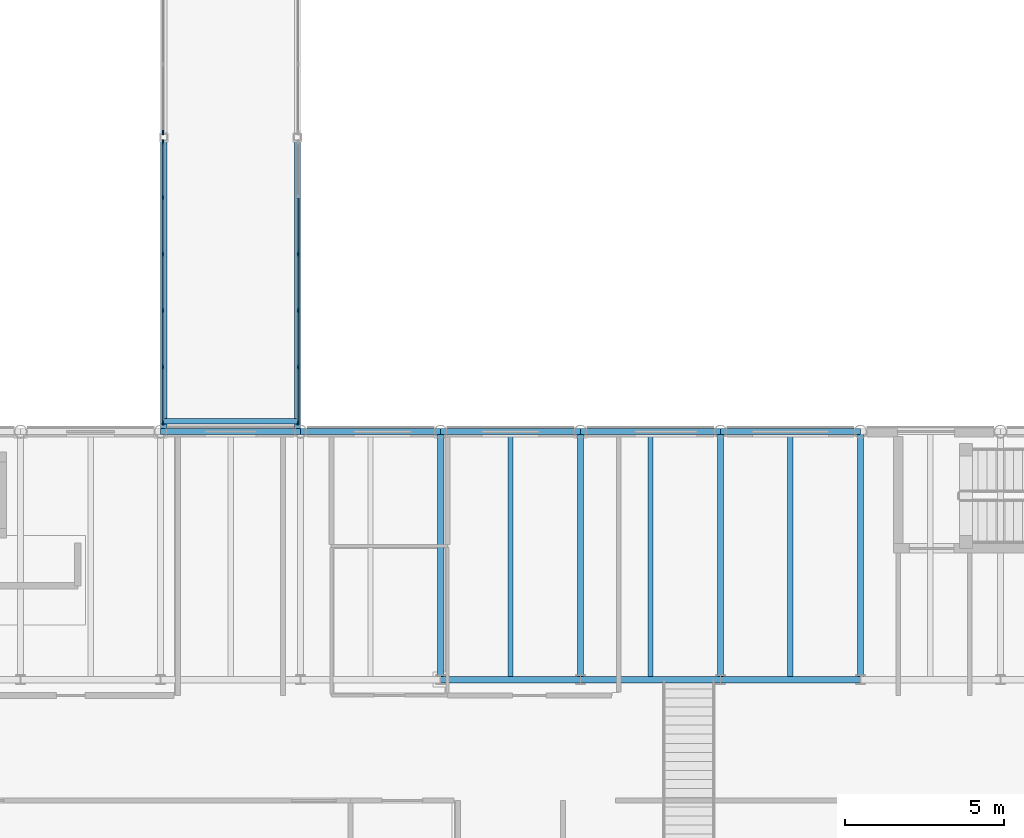
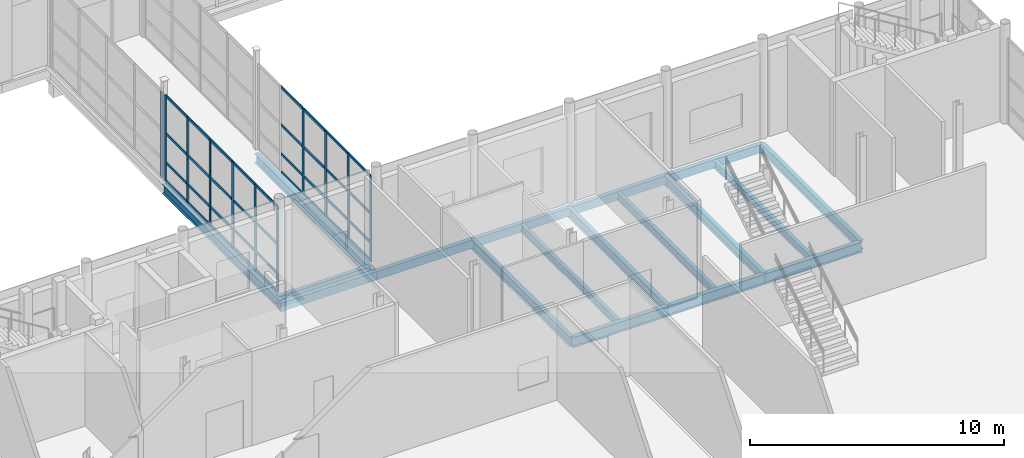
# One storey, part 49 of 131: 47 members, 18 beams, 3 elements without a shape of their own.
"""IFC4 building model written with IfcOpenShell, lengths in metres."""

from ifc_helpers import new_model, si_unit, direction, frame, origin, origin_2d, place, context, subcontext, project, spatial, rectangle, hollow_rectangle, i_section, extrude, material, layer, layer_set, material_profile, profile_set, type_object, element, aggregate, save


model = new_model("IFC4")

# Units and contexts
model_context = context("Model", 3, precision=1e-05, world=origin(), true_north=direction((0.0, 1.0)))
body_context = subcontext(model_context, "Body", "Model", "MODEL_VIEW")
ifc_project = project(units=[si_unit("LENGTHUNIT", "METRE"), si_unit("AREAUNIT", "SQUARE_METRE"), si_unit("VOLUMEUNIT", "CUBIC_METRE"), si_unit("PLANEANGLEUNIT", "RADIAN"), si_unit("MASSUNIT", "GRAM", prefix="KILO")], contexts=[model_context])

# Site, building, storey
site_placement = place(None, origin())
site = spatial("IfcSite", under=ifc_project, at=site_placement, CompositionType="ELEMENT")
building_placement = place(site_placement, origin())
building = spatial("IfcBuilding", under=site, at=building_placement, Name="Celorna Specialist Clinic", CompositionType="ELEMENT")
storey_placement = place(building_placement, origin())
storey = spatial("IfcBuildingStorey", under=building, at=storey_placement, Name="L00", CompositionType="ELEMENT", Elevation=0.0)

# Beams
ifc_material_1 = material(Name="Steel S355", Category="steel")
ifc_material_profile_1 = material_profile(ifc_material_1, i_section(OverallWidth=0.199951171875, OverallDepth=0.5, WebThickness=0.01025390625, FlangeThickness=0.01611328125, at=origin_2d()), Name="IPE 500")
ifc_profile_set_1 = profile_set([ifc_material_profile_1], Name="Steel S355")
beam_type_1 = type_object("IfcBeamType", Name="BM-08", PredefinedType="BEAM", material=ifc_profile_set_1)
beam_1_placement = place(storey_placement, frame((81.0, 70.199951171875, -0.550048828125), z_axis=(1.0, 0.0, 0.0), x_axis=(0.0, 1.0, 0.0)))
element("IfcBeam", 1, at=beam_1_placement, inside=storey, type_object=beam_type_1, Name="Primary girder BM-08 #145", PredefinedType="BEAM", context=body_context, shape_type="SweptSolid", body=[
    extrude(i_section(OverallWidth=0.199951171875, OverallDepth=0.5, WebThickness=0.01025390625, FlangeThickness=0.01611328125, at=origin_2d()), origin(), (0.0, 0.0, 1.0), 4.39990234375),
])
beam_2_placement = place(storey_placement, frame((85.39990234375, 70.199951171875, -0.550048828125), z_axis=(1.0, 0.0, 0.0), x_axis=(0.0, 1.0, 0.0)))
element("IfcBeam", 2, at=beam_2_placement, inside=storey, type_object=beam_type_1, Name="Primary girder BM-08 #146", PredefinedType="BEAM", context=body_context, shape_type="SweptSolid", body=[
    extrude(i_section(OverallWidth=0.199951171875, OverallDepth=0.5, WebThickness=0.01025390625, FlangeThickness=0.01611328125, at=origin_2d()), origin(), (0.0, 0.0, 1.0), 4.400146484375),
])
beam_3_placement = place(storey_placement, frame((89.800048828125, 70.199951171875, -0.550048828125), z_axis=(1.0, 0.0, 0.0), x_axis=(0.0, 1.0, 0.0)))
element("IfcBeam", 3, at=beam_3_placement, inside=storey, type_object=beam_type_1, Name="Primary girder BM-08 #147", PredefinedType="BEAM", context=body_context, shape_type="SweptSolid", body=[
    extrude(i_section(OverallWidth=0.199951171875, OverallDepth=0.5, WebThickness=0.01025390625, FlangeThickness=0.01611328125, at=origin_2d()), origin(), (0.0, 0.0, 1.0), 4.39990234375),
])
ifc_material_profile_2 = material_profile(ifc_material_1, i_section(OverallWidth=0.18994140625, OverallDepth=0.449951171875, WebThickness=0.009521484375, FlangeThickness=0.0146484375, at=origin_2d()), Name="IPE 450")
ifc_profile_set_2 = profile_set([ifc_material_profile_2], Name="Steel S355")
beam_type_2 = type_object("IfcBeamType", Name="BM-09", PredefinedType="BEAM", material=ifc_profile_set_2)
for number, where, z_axis, x_axis, name in (
    (4, (72.300048828125, 78.0, -0.445068359375), (0.0, 1.0, 0.0), (-1.0, 0.0, 0.0), "Bridge BR-04 edge girder BM-09 #92"),
    (5, (76.5, 78.0, -0.445068359375), (0.0, 1.0, 0.0), (-1.0, 0.0, 0.0), "Bridge BR-04 edge girder BM-09 #94"),
):
    element("IfcBeam", number, at=place(storey_placement, frame(where, z_axis=z_axis, x_axis=x_axis)), inside=storey, type_object=beam_type_2, Name=name, PredefinedType="BEAM", context=body_context, shape_type="SweptSolid", body=[
        extrude(i_section(OverallWidth=0.18994140625, OverallDepth=0.449951171875, WebThickness=0.009521484375, FlangeThickness=0.0146484375, at=origin_2d()), origin(), (0.0, 0.0, 1.0), 9.25),
    ])
for number, where, z_axis, x_axis, name in (
    (6, (81.0, 70.199951171875, -0.52490234375), (0.0, 1.0, 0.0), (-1.0, 0.0, 0.0), "Transverse girder BM-09 #170"),
    (7, (85.39990234375, 70.199951171875, -0.52490234375), (0.0, 1.0, 0.0), (-1.0, 0.0, 0.0), "Transverse girder BM-09 #171"),
    (8, (89.800048828125, 70.199951171875, -0.52490234375), (0.0, 1.0, 0.0), (-1.0, 0.0, 0.0), "Transverse girder BM-09 #172"),
    (9, (94.199951171875, 70.199951171875, -0.52490234375), (0.0, 1.0, 0.0), (-1.0, 0.0, 0.0), "Transverse girder BM-09 #173"),
):
    element("IfcBeam", number, at=place(storey_placement, frame(where, z_axis=z_axis, x_axis=x_axis)), inside=storey, type_object=beam_type_2, Name=name, PredefinedType="BEAM", context=body_context, shape_type="SweptSolid", body=[
        extrude(i_section(OverallWidth=0.18994140625, OverallDepth=0.449951171875, WebThickness=0.009521484375, FlangeThickness=0.0146484375, at=origin_2d()), origin(), (0.0, 0.0, 1.0), 7.800048828125),
    ])
ifc_material_profile_3 = material_profile(ifc_material_1, i_section(OverallWidth=0.179931640625, OverallDepth=0.39990234375, WebThickness=0.008544921875, FlangeThickness=0.013427734375, at=origin_2d()), Name="IPE 400")
ifc_profile_set_3 = profile_set([ifc_material_profile_3], Name="Steel S355")
beam_type_3 = type_object("IfcBeamType", Name="BM-10", PredefinedType="BEAM", material=ifc_profile_set_3)
beam_4_placement = place(storey_placement, frame((72.300048828125, 78.320068359375, -0.419921875), z_axis=(1.0, 0.0, 0.0), x_axis=(0.0, 1.0, 0.0)))
element("IfcBeam", 10, at=beam_4_placement, inside=storey, type_object=beam_type_3, Name="Bridge BR-04 transverse beam BM-10 #97", PredefinedType="BEAM", context=body_context, shape_type="SweptSolid", body=[
    extrude(i_section(OverallWidth=0.179931640625, OverallDepth=0.39990234375, WebThickness=0.008544921875, FlangeThickness=0.013427734375, at=origin_2d()), origin(), (0.0, 0.0, 1.0), 4.199951171875),
])
ifc_material_profile_4 = material_profile(ifc_material_1, i_section(OverallWidth=0.169921875, OverallDepth=0.360107421875, WebThickness=0.008056640625, FlangeThickness=0.0126953125, at=origin_2d()), Name="IPE 360")
ifc_profile_set_4 = profile_set([ifc_material_profile_4], Name="Steel S355")
beam_type_4 = type_object("IfcBeamType", Name="BM-11", PredefinedType="JOIST", material=ifc_profile_set_4)
for number, where, z_axis, x_axis, name in (
    (11, (83.199951171875, 70.2880859375, -0.47998046875), (0.0, 1.0, 0.0), (-1.0, 0.0, 0.0), "Secondary floor joist BM-11 #185"),
    (12, (87.60009765625, 70.2880859375, -0.47998046875), (0.0, 1.0, 0.0), (-1.0, 0.0, 0.0), "Secondary floor joist BM-11 #186"),
    (13, (92.0, 70.2880859375, -0.47998046875), (0.0, 1.0, 0.0), (-1.0, 0.0, 0.0), "Secondary floor joist BM-11 #187"),
):
    element("IfcBeam", number, at=place(storey_placement, frame(where, z_axis=z_axis, x_axis=x_axis)), inside=storey, type_object=beam_type_4, Name=name, PredefinedType="JOIST", context=body_context, shape_type="SweptSolid", body=[
        extrude(i_section(OverallWidth=0.169921875, OverallDepth=0.360107421875, WebThickness=0.008056640625, FlangeThickness=0.0126953125, at=origin_2d()), origin(), (0.0, 0.0, 1.0), 7.6240234375),
    ])
ifc_material_profile_5 = material_profile(ifc_material_1, hollow_rectangle(XDim=0.199951171875, YDim=0.39990234375, WallThickness=0.011962890625, at=origin_2d()), Name="RHS 200x400x12")
ifc_profile_set_5 = profile_set([ifc_material_profile_5], Name="Steel S355")
beam_type_5 = type_object("IfcBeamType", Name="BM-15", PredefinedType="SPANDREL", material=ifc_profile_set_5)
beam_5_placement = place(storey_placement, frame((72.199951171875, 78.0, -0.5), z_axis=(1.0, 0.0, 0.0), x_axis=(0.0, 1.0, 0.0)))
element("IfcBeam", 14, at=beam_5_placement, inside=storey, type_object=beam_type_5, Name="Spandrel beam BM-15 #154", PredefinedType="SPANDREL", context=body_context, shape_type="SweptSolid", body=[
    extrude(hollow_rectangle(XDim=0.199951171875, YDim=0.39990234375, WallThickness=0.011962890625, at=origin_2d()), origin(), (0.0, 0.0, 1.0), 4.400146484375),
])
for number, where, z_axis, x_axis, name in (
    (15, (76.60009765625, 78.0, -0.5), (1.0, 0.0, 0.0), (0.0, 1.0, 0.0), "Spandrel beam BM-15 #155"),
    (16, (81.0, 78.0, -0.5), (1.0, 0.0, 0.0), (0.0, 1.0, 0.0), "Spandrel beam BM-15 #156"),
):
    element("IfcBeam", number, at=place(storey_placement, frame(where, z_axis=z_axis, x_axis=x_axis)), inside=storey, type_object=beam_type_5, Name=name, PredefinedType="SPANDREL", context=body_context, shape_type="SweptSolid", body=[
        extrude(hollow_rectangle(XDim=0.199951171875, YDim=0.39990234375, WallThickness=0.011962890625, at=origin_2d()), origin(), (0.0, 0.0, 1.0), 4.39990234375),
    ])
beam_6_placement = place(storey_placement, frame((85.39990234375, 78.0, -0.5), z_axis=(1.0, 0.0, 0.0), x_axis=(0.0, 1.0, 0.0)))
element("IfcBeam", 17, at=beam_6_placement, inside=storey, type_object=beam_type_5, Name="Spandrel beam BM-15 #157", PredefinedType="SPANDREL", context=body_context, shape_type="SweptSolid", body=[
    extrude(hollow_rectangle(XDim=0.199951171875, YDim=0.39990234375, WallThickness=0.011962890625, at=origin_2d()), origin(), (0.0, 0.0, 1.0), 4.400146484375),
])
beam_7_placement = place(storey_placement, frame((89.800048828125, 78.0, -0.5), z_axis=(1.0, 0.0, 0.0), x_axis=(0.0, 1.0, 0.0)))
element("IfcBeam", 18, at=beam_7_placement, inside=storey, type_object=beam_type_5, Name="Spandrel beam BM-15 #158", PredefinedType="SPANDREL", context=body_context, shape_type="SweptSolid", body=[
    extrude(hollow_rectangle(XDim=0.199951171875, YDim=0.39990234375, WallThickness=0.011962890625, at=origin_2d()), origin(), (0.0, 0.0, 1.0), 4.39990234375),
])

# Curtain wall, members
ifc_material_2 = material(Name="Thermally broken aluminium and solar-control glass curtain wall", Category="aluminium")
ifc_layer_1 = layer(ifc_material_2, 0.159912109375, Name="Thermally broken aluminium and solar-control glass curtain wall")
ifc_layer_set_1 = layer_set([ifc_layer_1], Name="Thermally broken aluminium and solar-control glass curtain wall")
curtain_wall_type_1 = type_object("IfcCurtainWallType", Name="CW-113", PredefinedType="NOTDEFINED", material=ifc_layer_set_1)
curtain_wall_1_placement = place(storey_placement, origin())
curtain_wall_1 = element("IfcCurtainWall", 19, at=curtain_wall_1_placement, inside=storey, type_object=curtain_wall_type_1, Name="Curtain wall CW-113 #206", PredefinedType="NOTDEFINED")
ifc_material_3 = material(Name="Anodized aluminium mullion", Category="aluminium")
ifc_material_profile_6 = material_profile(ifc_material_3, rectangle(XDim=0.050048828125, YDim=0.139892578125, at=origin_2d()), Name="ALU MULLION 50x140")
ifc_profile_set_6 = profile_set([ifc_material_profile_6], Name="Anodized aluminium mullion")
member_type_1 = type_object("IfcMemberType", Name="ML-03", PredefinedType="MULLION", material=ifc_profile_set_6)
member_1_placement = place(storey_placement, frame((72.280029296875, 78.27490234375, 0.0), z_axis=(0.0, 0.0, 1.0), x_axis=(-1.0, 0.0, 0.0)))
member_1 = element("IfcMember", 20, at=member_1_placement, type_object=member_type_1, Name="CW-113 mullion 1", PredefinedType="MULLION", context=body_context, shape_type="SweptSolid", body=[
    extrude(rectangle(XDim=0.050048828125, YDim=0.139892578125, at=origin_2d()), origin(), (0.0, 0.0, 1.0), 4.1298828125),
])
member_2_placement = place(storey_placement, frame((72.280029296875, 80.02587890625, 0.0), z_axis=(0.0, 0.0, 1.0), x_axis=(-1.0, 0.0, 0.0)))
member_2 = element("IfcMember", 21, at=member_2_placement, type_object=member_type_1, Name="CW-113 mullion 2", PredefinedType="MULLION", context=body_context, shape_type="SweptSolid", body=[
    extrude(rectangle(XDim=0.050048828125, YDim=0.139892578125, at=origin_2d()), origin(), (0.0, 0.0, 1.0), 4.1298828125),
])
member_3_placement = place(storey_placement, frame((72.280029296875, 81.802001953125, 0.0), z_axis=(0.0, 0.0, 1.0), x_axis=(-1.0, 0.0, 0.0)))
member_3 = element("IfcMember", 22, at=member_3_placement, type_object=member_type_1, Name="CW-113 mullion 3", PredefinedType="MULLION", context=body_context, shape_type="SweptSolid", body=[
    extrude(rectangle(XDim=0.050048828125, YDim=0.139892578125, at=origin_2d()), origin(), (0.0, 0.0, 1.0), 4.1298828125),
])
member_4_placement = place(storey_placement, frame((72.280029296875, 83.577880859375, 0.0), z_axis=(0.0, 0.0, 1.0), x_axis=(-1.0, 0.0, 0.0)))
member_4 = element("IfcMember", 23, at=member_4_placement, type_object=member_type_1, Name="CW-113 mullion 4", PredefinedType="MULLION", context=body_context, shape_type="SweptSolid", body=[
    extrude(rectangle(XDim=0.050048828125, YDim=0.139892578125, at=origin_2d()), origin(), (0.0, 0.0, 1.0), 4.1298828125),
])
member_5_placement = place(storey_placement, frame((72.280029296875, 85.35400390625, 0.0), z_axis=(0.0, 0.0, 1.0), x_axis=(-1.0, 0.0, 0.0)))
member_5 = element("IfcMember", 24, at=member_5_placement, type_object=member_type_1, Name="CW-113 mullion 5", PredefinedType="MULLION", context=body_context, shape_type="SweptSolid", body=[
    extrude(rectangle(XDim=0.050048828125, YDim=0.139892578125, at=origin_2d()), origin(), (0.0, 0.0, 1.0), 4.1298828125),
])
member_6_placement = place(storey_placement, frame((72.280029296875, 87.10498046875, 0.0), z_axis=(0.0, 0.0, 1.0), x_axis=(-1.0, 0.0, 0.0)))
member_6 = element("IfcMember", 25, at=member_6_placement, type_object=member_type_1, Name="CW-113 mullion 6", PredefinedType="MULLION", context=body_context, shape_type="SweptSolid", body=[
    extrude(rectangle(XDim=0.050048828125, YDim=0.139892578125, at=origin_2d()), origin(), (0.0, 0.0, 1.0), 4.1298828125),
])

# Curtain wall, member
ifc_layer_2 = layer(ifc_material_2, 0.159912109375, Name="Thermally broken aluminium and solar-control glass curtain wall")
ifc_layer_set_2 = layer_set([ifc_layer_2], Name="Thermally broken aluminium and solar-control glass curtain wall")
curtain_wall_type_2 = type_object("IfcCurtainWallType", Name="CW-114", PredefinedType="NOTDEFINED", material=ifc_layer_set_2)
curtain_wall_2_placement = place(storey_placement, origin())
curtain_wall_2 = element("IfcCurtainWall", 26, at=curtain_wall_2_placement, inside=storey, type_object=curtain_wall_type_2, Name="Curtain wall CW-114 #207", PredefinedType="NOTDEFINED")
member_7_placement = place(storey_placement, frame((72.280029296875, 87.39501953125, 0.0), z_axis=(0.0, 0.0, 1.0), x_axis=(-1.0, 0.0, 0.0)))
member_7 = element("IfcMember", 27, at=member_7_placement, type_object=member_type_1, Name="CW-114 mullion 1", PredefinedType="MULLION", context=body_context, shape_type="SweptSolid", body=[
    extrude(rectangle(XDim=0.050048828125, YDim=0.139892578125, at=origin_2d()), origin(), (0.0, 0.0, 1.0), 4.1298828125),
])
aggregate(curtain_wall_2, [member_7])

# Curtain wall, members
curtain_wall_3_placement = place(storey_placement, origin())
curtain_wall_3 = element("IfcCurtainWall", 28, at=curtain_wall_3_placement, inside=storey, type_object=curtain_wall_type_1, Name="Curtain wall CW-113 #209", PredefinedType="NOTDEFINED")
member_8_placement = place(storey_placement, frame((76.52001953125, 83.577880859375, 0.0), z_axis=(0.0, 0.0, 1.0), x_axis=(1.0, 0.0, 0.0)))
member_8 = element("IfcMember", 29, at=member_8_placement, type_object=member_type_1, Name="CW-113 mullion 3", PredefinedType="MULLION", context=body_context, shape_type="SweptSolid", body=[
    extrude(rectangle(XDim=0.050048828125, YDim=0.139892578125, at=origin_2d()), origin(), (0.0, 0.0, 1.0), 4.1298828125),
])
member_9_placement = place(storey_placement, frame((76.52001953125, 81.802001953125, 0.0), z_axis=(0.0, 0.0, 1.0), x_axis=(1.0, 0.0, 0.0)))
member_9 = element("IfcMember", 30, at=member_9_placement, type_object=member_type_1, Name="CW-113 mullion 4", PredefinedType="MULLION", context=body_context, shape_type="SweptSolid", body=[
    extrude(rectangle(XDim=0.050048828125, YDim=0.139892578125, at=origin_2d()), origin(), (0.0, 0.0, 1.0), 4.1298828125),
])
member_10_placement = place(storey_placement, frame((76.52001953125, 80.02587890625, 0.0), z_axis=(0.0, 0.0, 1.0), x_axis=(1.0, 0.0, 0.0)))
member_10 = element("IfcMember", 31, at=member_10_placement, type_object=member_type_1, Name="CW-113 mullion 5", PredefinedType="MULLION", context=body_context, shape_type="SweptSolid", body=[
    extrude(rectangle(XDim=0.050048828125, YDim=0.139892578125, at=origin_2d()), origin(), (0.0, 0.0, 1.0), 4.1298828125),
])
member_11_placement = place(storey_placement, frame((76.52001953125, 78.27490234375, 0.0), z_axis=(0.0, 0.0, 1.0), x_axis=(1.0, 0.0, 0.0)))
member_11 = element("IfcMember", 32, at=member_11_placement, type_object=member_type_1, Name="CW-113 mullion 6", PredefinedType="MULLION", context=body_context, shape_type="SweptSolid", body=[
    extrude(rectangle(XDim=0.050048828125, YDim=0.139892578125, at=origin_2d()), origin(), (0.0, 0.0, 1.0), 4.1298828125),
])

# Member
ifc_material_4 = material(Name="Anodized aluminium transom", Category="aluminium")
ifc_material_profile_7 = material_profile(ifc_material_4, rectangle(XDim=0.050048828125, YDim=0.1298828125, at=origin_2d()), Name="ALU TRANSOM 50x130")
ifc_profile_set_7 = profile_set([ifc_material_profile_7], Name="Anodized aluminium transom")
member_type_2 = type_object("IfcMemberType", Name="TR-01", PredefinedType="USERDEFINED", material=ifc_profile_set_7)
member_12_placement = place(storey_placement, frame((72.280029296875, 78.300048828125, 0.02490234375), z_axis=(0.0, 1.0, 0.0), x_axis=(-1.0, 0.0, 0.0)))
member_12 = element("IfcMember", 33, at=member_12_placement, type_object=member_type_2, Name="CW-113 transom 1.1", ObjectType="TRANSOM", PredefinedType="USERDEFINED", context=body_context, shape_type="SweptSolid", body=[
    extrude(rectangle(XDim=0.050048828125, YDim=0.1298828125, at=origin_2d()), origin(), (0.0, 0.0, 1.0), 1.700927734375),
])

member_13_placement = place(storey_placement, frame((72.280029296875, 78.300048828125, 0.89990234375), z_axis=(0.0, 1.0, 0.0), x_axis=(-1.0, 0.0, 0.0)))
member_13 = element("IfcMember", 34, at=member_13_placement, type_object=member_type_2, Name="CW-113 transom 1.2", ObjectType="TRANSOM", PredefinedType="USERDEFINED", context=body_context, shape_type="SweptSolid", body=[
    extrude(rectangle(XDim=0.050048828125, YDim=0.1298828125, at=origin_2d()), origin(), (0.0, 0.0, 1.0), 1.700927734375),
])

member_14_placement = place(storey_placement, frame((72.280029296875, 78.300048828125, 2.300048828125), z_axis=(0.0, 1.0, 0.0), x_axis=(-1.0, 0.0, 0.0)))
member_14 = element("IfcMember", 35, at=member_14_placement, type_object=member_type_2, Name="CW-113 transom 1.3", ObjectType="TRANSOM", PredefinedType="USERDEFINED", context=body_context, shape_type="SweptSolid", body=[
    extrude(rectangle(XDim=0.050048828125, YDim=0.1298828125, at=origin_2d()), origin(), (0.0, 0.0, 1.0), 1.700927734375),
])

member_15_placement = place(storey_placement, frame((72.280029296875, 78.300048828125, 4.10498046875), z_axis=(0.0, 1.0, 0.0), x_axis=(-1.0, 0.0, 0.0)))
member_15 = element("IfcMember", 36, at=member_15_placement, type_object=member_type_2, Name="CW-113 transom 1.4", ObjectType="TRANSOM", PredefinedType="USERDEFINED", context=body_context, shape_type="SweptSolid", body=[
    extrude(rectangle(XDim=0.050048828125, YDim=0.1298828125, at=origin_2d()), origin(), (0.0, 0.0, 1.0), 1.700927734375),
])

member_16_placement = place(storey_placement, frame((72.280029296875, 80.051025390625, 0.02490234375), z_axis=(0.0, 1.0, 0.0), x_axis=(-1.0, 0.0, 0.0)))
member_16 = element("IfcMember", 37, at=member_16_placement, type_object=member_type_2, Name="CW-113 transom 2.1", ObjectType="TRANSOM", PredefinedType="USERDEFINED", context=body_context, shape_type="SweptSolid", body=[
    extrude(rectangle(XDim=0.050048828125, YDim=0.1298828125, at=origin_2d()), origin(), (0.0, 0.0, 1.0), 1.72607421875),
])

member_17_placement = place(storey_placement, frame((72.280029296875, 80.051025390625, 0.89990234375), z_axis=(0.0, 1.0, 0.0), x_axis=(-1.0, 0.0, 0.0)))
member_17 = element("IfcMember", 38, at=member_17_placement, type_object=member_type_2, Name="CW-113 transom 2.2", ObjectType="TRANSOM", PredefinedType="USERDEFINED", context=body_context, shape_type="SweptSolid", body=[
    extrude(rectangle(XDim=0.050048828125, YDim=0.1298828125, at=origin_2d()), origin(), (0.0, 0.0, 1.0), 1.72607421875),
])

member_18_placement = place(storey_placement, frame((72.280029296875, 80.051025390625, 2.300048828125), z_axis=(0.0, 1.0, 0.0), x_axis=(-1.0, 0.0, 0.0)))
member_18 = element("IfcMember", 39, at=member_18_placement, type_object=member_type_2, Name="CW-113 transom 2.3", ObjectType="TRANSOM", PredefinedType="USERDEFINED", context=body_context, shape_type="SweptSolid", body=[
    extrude(rectangle(XDim=0.050048828125, YDim=0.1298828125, at=origin_2d()), origin(), (0.0, 0.0, 1.0), 1.72607421875),
])

member_19_placement = place(storey_placement, frame((72.280029296875, 80.051025390625, 4.10498046875), z_axis=(0.0, 1.0, 0.0), x_axis=(-1.0, 0.0, 0.0)))
member_19 = element("IfcMember", 40, at=member_19_placement, type_object=member_type_2, Name="CW-113 transom 2.4", ObjectType="TRANSOM", PredefinedType="USERDEFINED", context=body_context, shape_type="SweptSolid", body=[
    extrude(rectangle(XDim=0.050048828125, YDim=0.1298828125, at=origin_2d()), origin(), (0.0, 0.0, 1.0), 1.72607421875),
])

member_20_placement = place(storey_placement, frame((72.280029296875, 81.826904296875, 0.02490234375), z_axis=(0.0, 1.0, 0.0), x_axis=(-1.0, 0.0, 0.0)))
member_20 = element("IfcMember", 41, at=member_20_placement, type_object=member_type_2, Name="CW-113 transom 3.1", ObjectType="TRANSOM", PredefinedType="USERDEFINED", context=body_context, shape_type="SweptSolid", body=[
    extrude(rectangle(XDim=0.050048828125, YDim=0.1298828125, at=origin_2d()), origin(), (0.0, 0.0, 1.0), 1.72607421875),
])

member_21_placement = place(storey_placement, frame((72.280029296875, 81.826904296875, 0.89990234375), z_axis=(0.0, 1.0, 0.0), x_axis=(-1.0, 0.0, 0.0)))
member_21 = element("IfcMember", 42, at=member_21_placement, type_object=member_type_2, Name="CW-113 transom 3.2", ObjectType="TRANSOM", PredefinedType="USERDEFINED", context=body_context, shape_type="SweptSolid", body=[
    extrude(rectangle(XDim=0.050048828125, YDim=0.1298828125, at=origin_2d()), origin(), (0.0, 0.0, 1.0), 1.72607421875),
])

member_22_placement = place(storey_placement, frame((72.280029296875, 81.826904296875, 2.300048828125), z_axis=(0.0, 1.0, 0.0), x_axis=(-1.0, 0.0, 0.0)))
member_22 = element("IfcMember", 43, at=member_22_placement, type_object=member_type_2, Name="CW-113 transom 3.3", ObjectType="TRANSOM", PredefinedType="USERDEFINED", context=body_context, shape_type="SweptSolid", body=[
    extrude(rectangle(XDim=0.050048828125, YDim=0.1298828125, at=origin_2d()), origin(), (0.0, 0.0, 1.0), 1.72607421875),
])

member_23_placement = place(storey_placement, frame((72.280029296875, 81.826904296875, 4.10498046875), z_axis=(0.0, 1.0, 0.0), x_axis=(-1.0, 0.0, 0.0)))
member_23 = element("IfcMember", 44, at=member_23_placement, type_object=member_type_2, Name="CW-113 transom 3.4", ObjectType="TRANSOM", PredefinedType="USERDEFINED", context=body_context, shape_type="SweptSolid", body=[
    extrude(rectangle(XDim=0.050048828125, YDim=0.1298828125, at=origin_2d()), origin(), (0.0, 0.0, 1.0), 1.72607421875),
])

member_24_placement = place(storey_placement, frame((72.280029296875, 83.60302734375, 0.02490234375), z_axis=(0.0, 1.0, 0.0), x_axis=(-1.0, 0.0, 0.0)))
member_24 = element("IfcMember", 45, at=member_24_placement, type_object=member_type_2, Name="CW-113 transom 4.1", ObjectType="TRANSOM", PredefinedType="USERDEFINED", context=body_context, shape_type="SweptSolid", body=[
    extrude(rectangle(XDim=0.050048828125, YDim=0.1298828125, at=origin_2d()), origin(), (0.0, 0.0, 1.0), 1.72607421875),
])

member_25_placement = place(storey_placement, frame((72.280029296875, 83.60302734375, 0.89990234375), z_axis=(0.0, 1.0, 0.0), x_axis=(-1.0, 0.0, 0.0)))
member_25 = element("IfcMember", 46, at=member_25_placement, type_object=member_type_2, Name="CW-113 transom 4.2", ObjectType="TRANSOM", PredefinedType="USERDEFINED", context=body_context, shape_type="SweptSolid", body=[
    extrude(rectangle(XDim=0.050048828125, YDim=0.1298828125, at=origin_2d()), origin(), (0.0, 0.0, 1.0), 1.72607421875),
])

member_26_placement = place(storey_placement, frame((72.280029296875, 83.60302734375, 2.300048828125), z_axis=(0.0, 1.0, 0.0), x_axis=(-1.0, 0.0, 0.0)))
member_26 = element("IfcMember", 47, at=member_26_placement, type_object=member_type_2, Name="CW-113 transom 4.3", ObjectType="TRANSOM", PredefinedType="USERDEFINED", context=body_context, shape_type="SweptSolid", body=[
    extrude(rectangle(XDim=0.050048828125, YDim=0.1298828125, at=origin_2d()), origin(), (0.0, 0.0, 1.0), 1.72607421875),
])

member_27_placement = place(storey_placement, frame((72.280029296875, 83.60302734375, 4.10498046875), z_axis=(0.0, 1.0, 0.0), x_axis=(-1.0, 0.0, 0.0)))
member_27 = element("IfcMember", 48, at=member_27_placement, type_object=member_type_2, Name="CW-113 transom 4.4", ObjectType="TRANSOM", PredefinedType="USERDEFINED", context=body_context, shape_type="SweptSolid", body=[
    extrude(rectangle(XDim=0.050048828125, YDim=0.1298828125, at=origin_2d()), origin(), (0.0, 0.0, 1.0), 1.72607421875),
])

member_28_placement = place(storey_placement, frame((72.280029296875, 85.37890625, 0.02490234375), z_axis=(0.0, 1.0, 0.0), x_axis=(-1.0, 0.0, 0.0)))
member_28 = element("IfcMember", 49, at=member_28_placement, type_object=member_type_2, Name="CW-113 transom 5.1", ObjectType="TRANSOM", PredefinedType="USERDEFINED", context=body_context, shape_type="SweptSolid", body=[
    extrude(rectangle(XDim=0.050048828125, YDim=0.1298828125, at=origin_2d()), origin(), (0.0, 0.0, 1.0), 1.701171875),
])

member_29_placement = place(storey_placement, frame((72.280029296875, 85.37890625, 0.89990234375), z_axis=(0.0, 1.0, 0.0), x_axis=(-1.0, 0.0, 0.0)))
member_29 = element("IfcMember", 50, at=member_29_placement, type_object=member_type_2, Name="CW-113 transom 5.2", ObjectType="TRANSOM", PredefinedType="USERDEFINED", context=body_context, shape_type="SweptSolid", body=[
    extrude(rectangle(XDim=0.050048828125, YDim=0.1298828125, at=origin_2d()), origin(), (0.0, 0.0, 1.0), 1.701171875),
])

member_30_placement = place(storey_placement, frame((72.280029296875, 85.37890625, 2.300048828125), z_axis=(0.0, 1.0, 0.0), x_axis=(-1.0, 0.0, 0.0)))
member_30 = element("IfcMember", 51, at=member_30_placement, type_object=member_type_2, Name="CW-113 transom 5.3", ObjectType="TRANSOM", PredefinedType="USERDEFINED", context=body_context, shape_type="SweptSolid", body=[
    extrude(rectangle(XDim=0.050048828125, YDim=0.1298828125, at=origin_2d()), origin(), (0.0, 0.0, 1.0), 1.701171875),
])

member_31_placement = place(storey_placement, frame((72.280029296875, 85.37890625, 4.10498046875), z_axis=(0.0, 1.0, 0.0), x_axis=(-1.0, 0.0, 0.0)))
member_31 = element("IfcMember", 52, at=member_31_placement, type_object=member_type_2, Name="CW-113 transom 5.4", ObjectType="TRANSOM", PredefinedType="USERDEFINED", context=body_context, shape_type="SweptSolid", body=[
    extrude(rectangle(XDim=0.050048828125, YDim=0.1298828125, at=origin_2d()), origin(), (0.0, 0.0, 1.0), 1.701171875),
])

aggregate(curtain_wall_1, [member_1, member_2, member_3, member_4, member_5, member_6, member_12, member_13, member_14, member_15, member_16, member_17, member_18, member_19, member_20, member_21, member_22, member_23, member_24, member_25, member_26, member_27, member_28, member_29, member_30, member_31])

member_32_placement = place(storey_placement, frame((76.52001953125, 85.3291015625, 0.02490234375), z_axis=(0.0, -1.0, 0.0), x_axis=(1.0, 0.0, 0.0)))
member_32 = element("IfcMember", 53, at=member_32_placement, type_object=member_type_2, Name="CW-113 transom 2.1", ObjectType="TRANSOM", PredefinedType="USERDEFINED", context=body_context, shape_type="SweptSolid", body=[
    extrude(rectangle(XDim=0.050048828125, YDim=0.1298828125, at=origin_2d()), origin(), (0.0, 0.0, 1.0), 1.72607421875),
])

member_33_placement = place(storey_placement, frame((76.52001953125, 85.3291015625, 0.89990234375), z_axis=(0.0, -1.0, 0.0), x_axis=(1.0, 0.0, 0.0)))
member_33 = element("IfcMember", 54, at=member_33_placement, type_object=member_type_2, Name="CW-113 transom 2.2", ObjectType="TRANSOM", PredefinedType="USERDEFINED", context=body_context, shape_type="SweptSolid", body=[
    extrude(rectangle(XDim=0.050048828125, YDim=0.1298828125, at=origin_2d()), origin(), (0.0, 0.0, 1.0), 1.72607421875),
])

member_34_placement = place(storey_placement, frame((76.52001953125, 85.3291015625, 2.300048828125), z_axis=(0.0, -1.0, 0.0), x_axis=(1.0, 0.0, 0.0)))
member_34 = element("IfcMember", 55, at=member_34_placement, type_object=member_type_2, Name="CW-113 transom 2.3", ObjectType="TRANSOM", PredefinedType="USERDEFINED", context=body_context, shape_type="SweptSolid", body=[
    extrude(rectangle(XDim=0.050048828125, YDim=0.1298828125, at=origin_2d()), origin(), (0.0, 0.0, 1.0), 1.72607421875),
])

member_35_placement = place(storey_placement, frame((76.52001953125, 85.3291015625, 4.10498046875), z_axis=(0.0, -1.0, 0.0), x_axis=(1.0, 0.0, 0.0)))
member_35 = element("IfcMember", 56, at=member_35_placement, type_object=member_type_2, Name="CW-113 transom 2.4", ObjectType="TRANSOM", PredefinedType="USERDEFINED", context=body_context, shape_type="SweptSolid", body=[
    extrude(rectangle(XDim=0.050048828125, YDim=0.1298828125, at=origin_2d()), origin(), (0.0, 0.0, 1.0), 1.72607421875),
])

member_36_placement = place(storey_placement, frame((76.52001953125, 83.552978515625, 0.02490234375), z_axis=(0.0, -1.0, 0.0), x_axis=(1.0, 0.0, 0.0)))
member_36 = element("IfcMember", 57, at=member_36_placement, type_object=member_type_2, Name="CW-113 transom 3.1", ObjectType="TRANSOM", PredefinedType="USERDEFINED", context=body_context, shape_type="SweptSolid", body=[
    extrude(rectangle(XDim=0.050048828125, YDim=0.1298828125, at=origin_2d()), origin(), (0.0, 0.0, 1.0), 1.72607421875),
])

member_37_placement = place(storey_placement, frame((76.52001953125, 83.552978515625, 0.89990234375), z_axis=(0.0, -1.0, 0.0), x_axis=(1.0, 0.0, 0.0)))
member_37 = element("IfcMember", 58, at=member_37_placement, type_object=member_type_2, Name="CW-113 transom 3.2", ObjectType="TRANSOM", PredefinedType="USERDEFINED", context=body_context, shape_type="SweptSolid", body=[
    extrude(rectangle(XDim=0.050048828125, YDim=0.1298828125, at=origin_2d()), origin(), (0.0, 0.0, 1.0), 1.72607421875),
])

member_38_placement = place(storey_placement, frame((76.52001953125, 83.552978515625, 2.300048828125), z_axis=(0.0, -1.0, 0.0), x_axis=(1.0, 0.0, 0.0)))
member_38 = element("IfcMember", 59, at=member_38_placement, type_object=member_type_2, Name="CW-113 transom 3.3", ObjectType="TRANSOM", PredefinedType="USERDEFINED", context=body_context, shape_type="SweptSolid", body=[
    extrude(rectangle(XDim=0.050048828125, YDim=0.1298828125, at=origin_2d()), origin(), (0.0, 0.0, 1.0), 1.72607421875),
])

member_39_placement = place(storey_placement, frame((76.52001953125, 83.552978515625, 4.10498046875), z_axis=(0.0, -1.0, 0.0), x_axis=(1.0, 0.0, 0.0)))
member_39 = element("IfcMember", 60, at=member_39_placement, type_object=member_type_2, Name="CW-113 transom 3.4", ObjectType="TRANSOM", PredefinedType="USERDEFINED", context=body_context, shape_type="SweptSolid", body=[
    extrude(rectangle(XDim=0.050048828125, YDim=0.1298828125, at=origin_2d()), origin(), (0.0, 0.0, 1.0), 1.72607421875),
])

member_40_placement = place(storey_placement, frame((76.52001953125, 81.777099609375, 0.02490234375), z_axis=(0.0, -1.0, 0.0), x_axis=(1.0, 0.0, 0.0)))
member_40 = element("IfcMember", 61, at=member_40_placement, type_object=member_type_2, Name="CW-113 transom 4.1", ObjectType="TRANSOM", PredefinedType="USERDEFINED", context=body_context, shape_type="SweptSolid", body=[
    extrude(rectangle(XDim=0.050048828125, YDim=0.1298828125, at=origin_2d()), origin(), (0.0, 0.0, 1.0), 1.72607421875),
])

member_41_placement = place(storey_placement, frame((76.52001953125, 81.777099609375, 0.89990234375), z_axis=(0.0, -1.0, 0.0), x_axis=(1.0, 0.0, 0.0)))
member_41 = element("IfcMember", 62, at=member_41_placement, type_object=member_type_2, Name="CW-113 transom 4.2", ObjectType="TRANSOM", PredefinedType="USERDEFINED", context=body_context, shape_type="SweptSolid", body=[
    extrude(rectangle(XDim=0.050048828125, YDim=0.1298828125, at=origin_2d()), origin(), (0.0, 0.0, 1.0), 1.72607421875),
])

member_42_placement = place(storey_placement, frame((76.52001953125, 81.777099609375, 2.300048828125), z_axis=(0.0, -1.0, 0.0), x_axis=(1.0, 0.0, 0.0)))
member_42 = element("IfcMember", 63, at=member_42_placement, type_object=member_type_2, Name="CW-113 transom 4.3", ObjectType="TRANSOM", PredefinedType="USERDEFINED", context=body_context, shape_type="SweptSolid", body=[
    extrude(rectangle(XDim=0.050048828125, YDim=0.1298828125, at=origin_2d()), origin(), (0.0, 0.0, 1.0), 1.72607421875),
])

member_43_placement = place(storey_placement, frame((76.52001953125, 81.777099609375, 4.10498046875), z_axis=(0.0, -1.0, 0.0), x_axis=(1.0, 0.0, 0.0)))
member_43 = element("IfcMember", 64, at=member_43_placement, type_object=member_type_2, Name="CW-113 transom 4.4", ObjectType="TRANSOM", PredefinedType="USERDEFINED", context=body_context, shape_type="SweptSolid", body=[
    extrude(rectangle(XDim=0.050048828125, YDim=0.1298828125, at=origin_2d()), origin(), (0.0, 0.0, 1.0), 1.72607421875),
])

member_44_placement = place(storey_placement, frame((76.52001953125, 80.0009765625, 0.02490234375), z_axis=(0.0, -1.0, 0.0), x_axis=(1.0, 0.0, 0.0)))
member_44 = element("IfcMember", 65, at=member_44_placement, type_object=member_type_2, Name="CW-113 transom 5.1", ObjectType="TRANSOM", PredefinedType="USERDEFINED", context=body_context, shape_type="SweptSolid", body=[
    extrude(rectangle(XDim=0.050048828125, YDim=0.1298828125, at=origin_2d()), origin(), (0.0, 0.0, 1.0), 1.700927734375),
])

member_45_placement = place(storey_placement, frame((76.52001953125, 80.0009765625, 0.89990234375), z_axis=(0.0, -1.0, 0.0), x_axis=(1.0, 0.0, 0.0)))
member_45 = element("IfcMember", 66, at=member_45_placement, type_object=member_type_2, Name="CW-113 transom 5.2", ObjectType="TRANSOM", PredefinedType="USERDEFINED", context=body_context, shape_type="SweptSolid", body=[
    extrude(rectangle(XDim=0.050048828125, YDim=0.1298828125, at=origin_2d()), origin(), (0.0, 0.0, 1.0), 1.700927734375),
])

member_46_placement = place(storey_placement, frame((76.52001953125, 80.0009765625, 2.300048828125), z_axis=(0.0, -1.0, 0.0), x_axis=(1.0, 0.0, 0.0)))
member_46 = element("IfcMember", 67, at=member_46_placement, type_object=member_type_2, Name="CW-113 transom 5.3", ObjectType="TRANSOM", PredefinedType="USERDEFINED", context=body_context, shape_type="SweptSolid", body=[
    extrude(rectangle(XDim=0.050048828125, YDim=0.1298828125, at=origin_2d()), origin(), (0.0, 0.0, 1.0), 1.700927734375),
])

member_47_placement = place(storey_placement, frame((76.52001953125, 80.0009765625, 4.10498046875), z_axis=(0.0, -1.0, 0.0), x_axis=(1.0, 0.0, 0.0)))
member_47 = element("IfcMember", 68, at=member_47_placement, type_object=member_type_2, Name="CW-113 transom 5.4", ObjectType="TRANSOM", PredefinedType="USERDEFINED", context=body_context, shape_type="SweptSolid", body=[
    extrude(rectangle(XDim=0.050048828125, YDim=0.1298828125, at=origin_2d()), origin(), (0.0, 0.0, 1.0), 1.700927734375),
])

aggregate(curtain_wall_3, [member_8, member_9, member_10, member_11, member_32, member_33, member_34, member_35, member_36, member_37, member_38, member_39, member_40, member_41, member_42, member_43, member_44, member_45, member_46, member_47])

save(model, "model.ifc")
